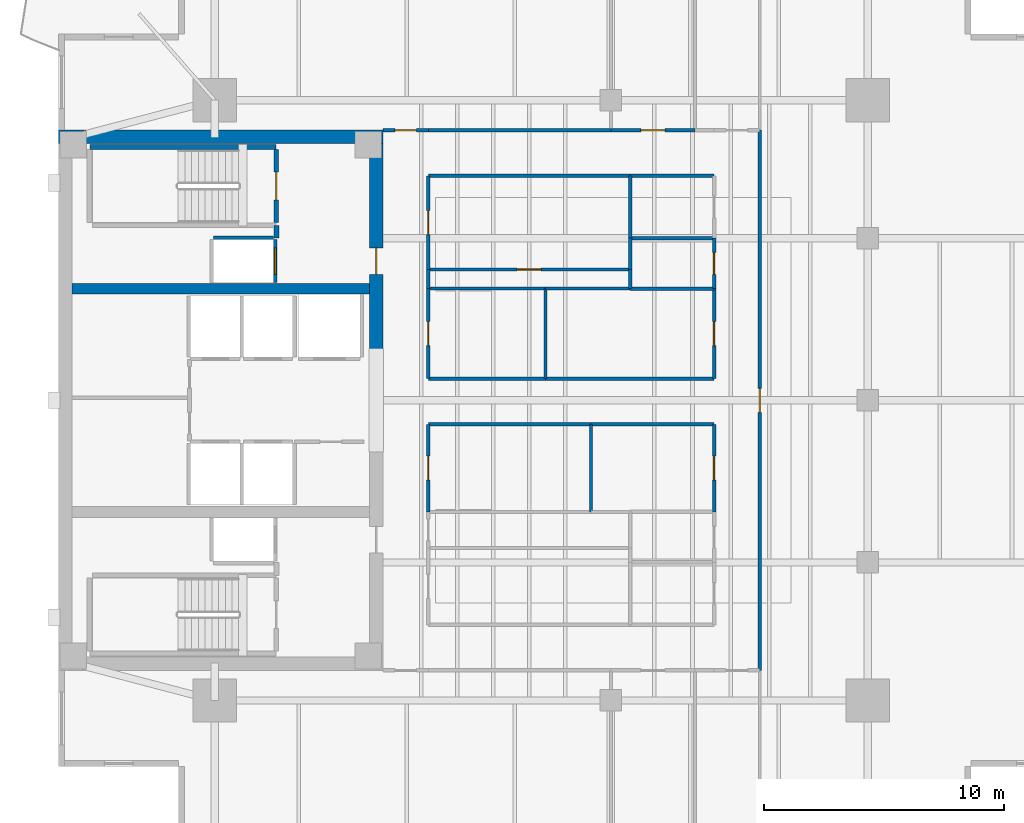
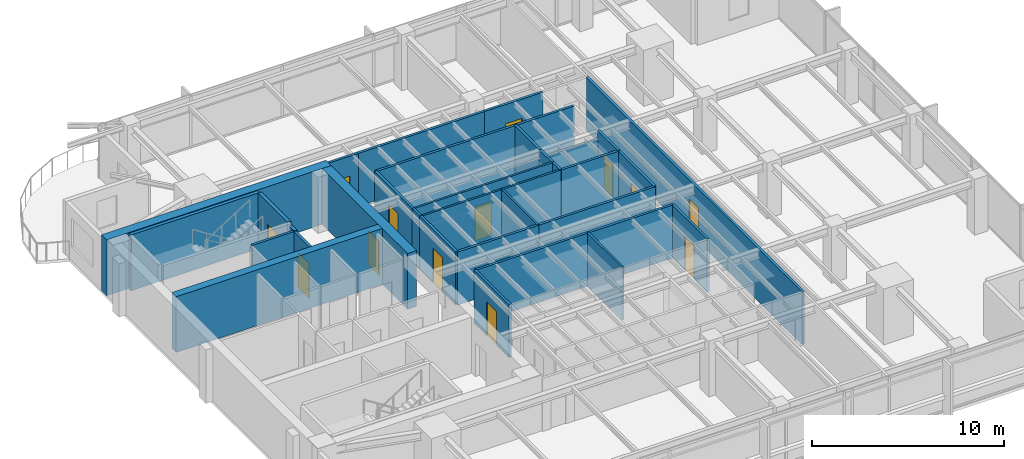
# One storey, part 9 of 15: 35 walls, 13 doors, 13 openings.
"""IFC4 building model written with IfcOpenShell, lengths in metres."""

import ifcopenshell
import ifcopenshell.guid

model = None  # the IFC model being written
_history = None  # IfcOwnerHistory: only IFC2X3 demands one
_inside = {}  # id of a spatial element -> (the spatial element, [elements in it])
_under = {}  # id of a project, library or spatial element -> (it, [spatial elements below it])
_declared = {}  # id of a project -> (the project, [libraries it declares])
_typed = {}  # id of a type object -> (the type object, [elements of that type])
_made_of = {}  # id of a material, layer set ... -> (it, [elements and type objects made of it])


def new_model(schema):
    """Start an empty IFC model of exactly this schema.

    Asked for "IFC4X3", IfcOpenShell would pick the latest addendum, in which some entities
    have other attributes; the version numbers below select the first issue.
    IFC2X3 requires an IfcOwnerHistory on every rooted entity: one is made here for all.
    """
    global model, _history
    if schema == "IFC4X3":
        model = ifcopenshell.file(schema_version=(4, 3, 0, 0))
    else:
        model = ifcopenshell.file(schema=schema)
    _inside.clear()
    _under.clear()
    _declared.clear()
    _typed.clear()
    _made_of.clear()
    _history = None
    if model.schema == "IFC2X3":
        org = make("IfcOrganization", Name="unknown")
        user = make(
            "IfcPersonAndOrganization",
            ThePerson=make("IfcPerson", FamilyName="unknown"),
            TheOrganization=org,
        )
        app = make(
            "IfcApplication",
            ApplicationDeveloper=org,
            Version="unknown",
            ApplicationFullName="unknown",
            ApplicationIdentifier="unknown",
        )
        _history = make(
            "IfcOwnerHistory",
            OwningUser=user,
            OwningApplication=app,
            ChangeAction="ADDED",
            CreationDate=0,
        )
    return model


def make(cls, **values):
    """One entity of the class cls with the attributes given. An attribute that is None is left unset."""
    return model.create_entity(
        cls, **{name: value for name, value in values.items() if value is not None}
    )


def rooted(cls, **values):
    """An entity with a GlobalId (a new one), such as an element, a storey or a relation."""
    return make(cls, GlobalId=ifcopenshell.guid.new(), OwnerHistory=_history, **values)


def si_unit(unit_type, name, prefix=None):
    """IfcSIUnit, for example si_unit("LENGTHUNIT", "METRE", prefix="MILLI")."""
    return make("IfcSIUnit", UnitType=unit_type, Prefix=prefix, Name=name)


def assignment(units):
    """IfcUnitAssignment: the units of a project."""
    return None if units is None else make("IfcUnitAssignment", Units=units)


def point(xyz):
    """IfcCartesianPoint."""
    return None if xyz is None else make("IfcCartesianPoint", Coordinates=xyz)


def direction(xyz):
    """IfcDirection."""
    return None if xyz is None else make("IfcDirection", DirectionRatios=xyz)


def frame(location, z_axis=None, x_axis=None):
    """IfcAxis2Placement3D, a coordinate frame: its origin and axes. An axis left out is left unset."""
    return make(
        "IfcAxis2Placement3D",
        Location=point(location),
        Axis=direction(z_axis),
        RefDirection=direction(x_axis),
    )


def frame_2d(location, x_axis=None):
    """IfcAxis2Placement2D, a coordinate frame in the plane: its origin and x axis."""
    return make(
        "IfcAxis2Placement2D", Location=point(location), RefDirection=direction(x_axis)
    )


def origin():
    """The frame at (0, 0, 0) with its axes left unset."""
    return frame((0.0, 0.0, 0.0))


def place(relative_to, where):
    """IfcLocalPlacement: puts the frame where relative to a parent placement (None: the world)."""
    return make(
        "IfcLocalPlacement", PlacementRelTo=relative_to, RelativePlacement=where
    )


def context(
    kind, dimensions, precision=None, world=None, true_north=None, identifier=None
):
    """IfcGeometricRepresentationContext, for example the 3D "Model" context."""
    return make(
        "IfcGeometricRepresentationContext",
        ContextIdentifier=identifier,
        ContextType=kind,
        CoordinateSpaceDimension=dimensions,
        Precision=precision,
        WorldCoordinateSystem=world,
        TrueNorth=true_north,
    )


def subcontext(parent, identifier, kind, view, scale=None):
    """IfcGeometricRepresentationSubContext, for example "Body" below "Model"."""
    return make(
        "IfcGeometricRepresentationSubContext",
        ContextIdentifier=identifier,
        ContextType=kind,
        ParentContext=parent,
        TargetScale=scale,
        TargetView=view,
    )


def project(units=None, contexts=None):
    """IfcProject with its units and contexts."""
    return rooted(
        "IfcProject",
        Name="project",
        RepresentationContexts=contexts,
        UnitsInContext=assignment(units),
    )


def spatial(cls, under=None, at=None, **own):
    """A site, building, storey or space (cls), placed at a placement, below another one or the project."""
    s = rooted(cls, ObjectPlacement=at, **own)
    if under is not None:
        _under.setdefault(under.id(), (under, []))[1].append(s)
    return s


def profile(cls, at=None, kind="AREA", **sizes):
    """A parametric profile (cls). Its sizes go by their IFC names, for example OverallWidth=200.0."""
    return make(cls, ProfileType=kind, Position=at, **sizes)


def rectangle(**sizes):
    """IfcRectangleProfileDef."""
    return profile("IfcRectangleProfileDef", **sizes)


def extrude(swept, where, along, depth):
    """IfcExtrudedAreaSolid: the profile swept, set in the frame where, extruded along a direction by depth."""
    return make(
        "IfcExtrudedAreaSolid",
        SweptArea=swept,
        Position=where,
        ExtrudedDirection=direction(along),
        Depth=depth,
    )


def shape(context_of_items, identifier, shape_type, items):
    """IfcShapeRepresentation: the items that make up one representation, for example the "Body"."""
    return make(
        "IfcShapeRepresentation",
        ContextOfItems=context_of_items,
        RepresentationIdentifier=identifier,
        RepresentationType=shape_type,
        Items=items,
    )


def material(Name=None, Category=None):
    """IfcMaterial."""
    return make("IfcMaterial", Name=Name, Category=Category)


def layer(
    of_material, thickness, ventilated=None, Name=None, Category=None, Priority=None
):
    """IfcMaterialLayer: one layer of a wall or slab, of a material (None: an air gap)."""
    return make(
        "IfcMaterialLayer",
        Material=of_material,
        LayerThickness=thickness,
        IsVentilated=ventilated,
        Name=Name,
        Category=Category,
        Priority=Priority,
    )


def layer_set(layers, Name=None):
    """IfcMaterialLayerSet."""
    return make("IfcMaterialLayerSet", MaterialLayers=layers, LayerSetName=Name)


def made_of(thing, what):
    """Note that an element or type object is made of a material, layer set ...; save() writes the relation."""
    if what is not None:
        _made_of.setdefault(what.id(), (what, []))[1].append(thing)
    return thing


def type_object(cls, material=None, **own):
    """A type object (cls), such as IfcWallType, which elements share."""
    return made_of(rooted(cls, **own), material)


def element(
    cls,
    number,
    at=None,
    inside=None,
    cuts=None,
    type_object=None,
    material=None,
    context=None,
    identifier="Body",
    shape_type=None,
    held_by="IfcProductDefinitionShape",
    body=None,
    shapes=None,
    **own,
):
    """One element of the class cls, such as IfcWall. Its Tag is "e" and its number.

    at: its placement. inside: the storey or other place that contains it. cuts: it is an
    opening in that element (IfcRelVoidsElement). A single representation is given by context,
    identifier, shape_type and body (its items); several are given by shapes. held_by: the class
    of the entity that holds the representations. save() writes the other relations.
    """
    e = rooted(cls, Tag="e%d" % number, ObjectPlacement=at, **own)
    if body is not None:
        shapes = [shape(context, identifier, shape_type, body)]
    if shapes is not None:
        e.Representation = make(held_by, Representations=shapes)
    if inside is not None:
        _inside.setdefault(inside.id(), (inside, []))[1].append(e)
    if cuts is not None:
        rooted(
            "IfcRelVoidsElement", RelatingBuildingElement=cuts, RelatedOpeningElement=e
        )
    if type_object is not None:
        _typed.setdefault(type_object.id(), (type_object, []))[1].append(e)
    return made_of(e, material)


def fill(opening, filler):
    """IfcRelFillsElement: the door or window that sits in an opening."""
    return rooted(
        "IfcRelFillsElement",
        RelatingOpeningElement=opening,
        RelatedBuildingElement=filler,
    )


def aggregate(whole, parts):
    """IfcRelAggregates: a whole, such as a stair, and the parts it consists of."""
    return rooted("IfcRelAggregates", RelatingObject=whole, RelatedObjects=parts)


def save(model, path):
    """Write the relations noted so far, then the file.

    IfcRelAggregates (storeys below a building ...), IfcRelContainedInSpatialStructure (elements
    in a storey), IfcRelDefinesByType, IfcRelAssociatesMaterial and IfcRelDeclares: one each for
    every whole, place, type object, material and project.
    """
    for whole, parts in _under.values():
        aggregate(whole, parts)
    for where, things in _inside.values():
        rooted(
            "IfcRelContainedInSpatialStructure",
            RelatedElements=things,
            RelatingStructure=where,
        )
    for kind, things in _typed.values():
        rooted("IfcRelDefinesByType", RelatedObjects=things, RelatingType=kind)
    for what, things in _made_of.values():
        rooted("IfcRelAssociatesMaterial", RelatedObjects=things, RelatingMaterial=what)
    for by, libraries in _declared.values():
        rooted("IfcRelDeclares", RelatingContext=by, RelatedDefinitions=libraries)
    model.write(path)


model = new_model("IFC4")

# Units and contexts
model_context = context("Model", 3, precision=1e-05, world=origin(), true_north=direction((0.0, 1.0)))
body_context = subcontext(model_context, "Body", "Model", "MODEL_VIEW")
ifc_project = project(units=[si_unit("LENGTHUNIT", "METRE"), si_unit("AREAUNIT", "SQUARE_METRE"), si_unit("VOLUMEUNIT", "CUBIC_METRE"), si_unit("PLANEANGLEUNIT", "RADIAN"), si_unit("MASSUNIT", "GRAM", prefix="KILO")], contexts=[model_context])

# Site, building, storey
site_placement = place(None, origin())
site = spatial("IfcSite", under=ifc_project, at=site_placement, CompositionType="ELEMENT")
building_placement = place(site_placement, origin())
building = spatial("IfcBuilding", under=site, at=building_placement, Name="Kinhvarn Gate Tower", CompositionType="ELEMENT")
storey_placement = place(building_placement, frame((0.0, 0.0, 220.0)))
storey = spatial("IfcBuildingStorey", under=building, at=storey_placement, Name="L58", CompositionType="ELEMENT", Elevation=220.0)

# Walls
ifc_material_1 = material(Name="Concrete C50/60", Category="concrete")
ifc_layer_1 = layer(ifc_material_1, 0.449951171875)
ifc_layer_set_1 = layer_set([ifc_layer_1], Name="Concrete C50/60")
wall_type_1 = type_object("IfcWallType", Name="WL-CORE-450", PredefinedType="SHEAR", material=ifc_layer_set_1)
wall_1_placement = place(storey_placement, frame((5.050048828125, 29.89990234375, 0.0), z_axis=(0.0, 0.0, 1.0), x_axis=(1.0, 0.0, 0.0)))
element("IfcWall", 1, at=wall_1_placement, inside=storey, type_object=wall_type_1, Name="Core North Spine Shear Wall L58 450 mm", PredefinedType="SHEAR", context=body_context, shape_type="SweptSolid", body=[
    extrude(rectangle(XDim=12.39990234375, YDim=0.449951171875, at=frame_2d((6.199951171875, 0.0))), origin(), (0.0, 0.0, 1.0), 3.550048828125),
])
ifc_material_2 = material(Name="Concrete C60/75", Category="concrete")
ifc_layer_2 = layer(ifc_material_2, 0.550048828125)
ifc_layer_set_2 = layer_set([ifc_layer_2], Name="Concrete C60/75")
wall_type_2 = type_object("IfcWallType", Name="WL-CORE-550", PredefinedType="SHEAR", material=ifc_layer_set_2)
wall_2_placement = place(storey_placement, frame((4.5, 36.22509765625, 0.0), z_axis=(0.0, 0.0, 1.0), x_axis=(1.0, 0.0, 0.0)))
element("IfcWall", 2, at=wall_2_placement, inside=storey, type_object=wall_type_2, Name="Core North Shear Wall L58 550 mm", PredefinedType="SHEAR", context=body_context, shape_type="SweptSolid", body=[
    extrude(rectangle(XDim=13.5, YDim=0.550048828125, at=frame_2d((6.75, 0.0))), origin(), (0.0, 0.0, 1.0), 3.550048828125),
])

# Wall, opening, door
wall_3_placement = place(storey_placement, frame((17.72509765625, 27.050048828125, 0.0), z_axis=(0.0, 0.0, 1.0), x_axis=(0.0, 1.0, 0.0)))
wall_3 = element("IfcWall", 3, at=wall_3_placement, inside=storey, type_object=wall_type_2, Name="Core East-North Shear Pier L58 550 mm", PredefinedType="SHEAR", context=body_context, shape_type="SweptSolid", body=[
    extrude(rectangle(XDim=8.89990234375, YDim=0.550048828125, at=frame_2d((4.449951171875, 0.0))), origin(), (0.0, 0.0, 1.0), 3.550048828125),
])
opening_1_placement = place(wall_3_placement, frame((3.449951171875, 0.0, 0.0)))
opening_1 = element("IfcOpeningElement", 4, at=opening_1_placement, cuts=wall_3, Name="Opening FD-02", PredefinedType="OPENING", context=body_context, shape_type="SweptSolid", body=[
    extrude(rectangle(XDim=1.10009765625, YDim=2.14990234375, at=frame_2d((0.550048828125, 1.074951171875))), frame((0.0, 0.28515625, 0.0), z_axis=(0.0, -1.0, 0.0), x_axis=(1.0, 0.0, 0.0)), (0.0, 0.0, 1.0), 0.570068359375),
])
ifc_material_3 = material(Name="Anodised aluminium AW-6063", Category="aluminium")
door_type_1 = type_object("IfcDoorType", Name="DR-FD-1100", OperationType="NOTDEFINED", PredefinedType="DOOR", material=ifc_material_3)
door_1_placement = place(opening_1_placement, origin())
door_1 = element("IfcDoor", 5, at=door_1_placement, inside=storey, type_object=door_type_1, Name="Firefighting Lobby Core Door (L58)", OperationType="SINGLE_SWING_LEFT", OverallHeight=2.14990234375, OverallWidth=1.10009765625, PredefinedType="DOOR", context=body_context, shape_type="SweptSolid", body=[
    extrude(rectangle(XDim=1.10009765625, YDim=2.14990234375, at=frame_2d((0.550048828125, 1.074951171875))), frame((0.0, 0.02490234375, 0.0), z_axis=(0.0, -1.0, 0.0), x_axis=(1.0, 0.0, 0.0)), (0.0, 0.0, 1.0), 0.050048828125),
])
fill(opening_1, door_1)

# Walls
ifc_material_4 = material(Name="Gypsum acoustic partition board")
ifc_layer_3 = layer(ifc_material_4, 0.14990234375)
ifc_layer_set_3 = layer_set([ifc_layer_3], Name="Gypsum acoustic partition board")
wall_type_3 = type_object("IfcWallType", Name="WL-PLM-150", PredefinedType="PLUMBINGWALL", material=ifc_layer_set_3)
wall_4_placement = place(storey_placement, frame((28.300048828125, 32.0, 0.0), z_axis=(0.0, 0.0, 1.0), x_axis=(1.0, 0.0, 0.0)))
element("IfcWall", 6, at=wall_4_placement, inside=storey, type_object=wall_type_3, Name="Interior Partition PLW-150 (L58)", PredefinedType="PLUMBINGWALL", context=body_context, shape_type="SweptSolid", body=[
    extrude(rectangle(XDim=3.5, YDim=0.14990234375, at=frame_2d((1.75, 0.0))), origin(), (0.0, 0.0, 1.0), 2.8701171875),
])
wall_5_placement = place(storey_placement, frame((28.300048828125, 32.0, 0.0), z_axis=(0.0, 0.0, 1.0), x_axis=(0.0, 1.0, 0.0)))
element("IfcWall", 7, at=wall_5_placement, inside=storey, type_object=wall_type_3, Name="Interior Partition PLW-150 (L58)", PredefinedType="PLUMBINGWALL", context=body_context, shape_type="SweptSolid", body=[
    extrude(rectangle(XDim=2.60009765625, YDim=0.14990234375, at=frame_2d((1.300048828125, 0.0))), origin(), (0.0, 0.0, 1.0), 3.3701171875),
])
wall_6_placement = place(storey_placement, frame((28.300048828125, 30.699951171875, 0.0), z_axis=(0.0, 0.0, 1.0), x_axis=(0.0, 1.0, 0.0)))
element("IfcWall", 8, at=wall_6_placement, inside=storey, type_object=wall_type_3, Name="Interior Partition PLW-150 (L58)", PredefinedType="PLUMBINGWALL", context=body_context, shape_type="SweptSolid", body=[
    extrude(rectangle(XDim=1.300048828125, YDim=0.14990234375, at=frame_2d((0.64990234375, 0.0))), origin(), (0.0, 0.0, 1.0), 3.3701171875),
])
wall_7_placement = place(storey_placement, frame((28.300048828125, 29.89990234375, 0.0), z_axis=(0.0, 0.0, 1.0), x_axis=(0.0, 1.0, 0.0)))
element("IfcWall", 9, at=wall_7_placement, inside=storey, type_object=wall_type_3, Name="Interior Partition PLW-150 (L58)", PredefinedType="PLUMBINGWALL", context=body_context, shape_type="SweptSolid", body=[
    extrude(rectangle(XDim=0.800048828125, YDim=0.14990234375, at=frame_2d((0.39990234375, 0.0))), origin(), (0.0, 0.0, 1.0), 3.3701171875),
])
wall_8_placement = place(storey_placement, frame((28.300048828125, 29.89990234375, 0.0), z_axis=(0.0, 0.0, 1.0), x_axis=(1.0, 0.0, 0.0)))
element("IfcWall", 10, at=wall_8_placement, inside=storey, type_object=wall_type_3, Name="Interior Partition PLW-150 (L58)", PredefinedType="PLUMBINGWALL", context=body_context, shape_type="SweptSolid", body=[
    extrude(rectangle(XDim=3.5, YDim=0.14990234375, at=frame_2d((1.75, 0.0))), origin(), (0.0, 0.0, 1.0), 3.3701171875),
])

# Wall, opening, door
ifc_layer_4 = layer(ifc_material_4, 0.14990234375)
ifc_layer_set_4 = layer_set([ifc_layer_4], Name="Gypsum acoustic partition board")
wall_type_4 = type_object("IfcWallType", Name="WL-PLM-150F", PredefinedType="PLUMBINGWALL", material=ifc_layer_set_4)
wall_9_placement = place(storey_placement, frame((31.800048828125, 29.89990234375, 0.0), z_axis=(0.0, 0.0, 1.0), x_axis=(0.0, 1.0, 0.0)))
wall_9 = element("IfcWall", 11, at=wall_9_placement, inside=storey, type_object=wall_type_4, Name="Interior Partition PLW-150F (L58)", PredefinedType="PLUMBINGWALL", context=body_context, shape_type="SweptSolid", body=[
    extrude(rectangle(XDim=2.10009765625, YDim=0.14990234375, at=frame_2d((1.050048828125, 0.0))), origin(), (0.0, 0.0, 1.0), 3.3701171875),
])
opening_2_placement = place(wall_9_placement, frame((0.60009765625, 0.0, 0.0)))
opening_2 = element("IfcOpeningElement", 12, at=opening_2_placement, cuts=wall_9, Name="Opening FD-04", PredefinedType="OPENING", context=body_context, shape_type="SweptSolid", body=[
    extrude(rectangle(XDim=0.89990234375, YDim=2.10009765625, at=frame_2d((0.449951171875, 1.050048828125))), frame((0.0, 0.0849609375, 0.0), z_axis=(0.0, -1.0, 0.0), x_axis=(1.0, 0.0, 0.0)), (0.0, 0.0, 1.0), 0.169921875),
])
door_type_2 = type_object("IfcDoorType", Name="DR-FD-900", OperationType="NOTDEFINED", PredefinedType="DOOR", material=ifc_material_3)
door_2_placement = place(opening_2_placement, origin())
door_2 = element("IfcDoor", 13, at=door_2_placement, inside=storey, type_object=door_type_2, Name="Rated Riser & Service Closet Fire Door 900x2100 mm (L58)", OperationType="SINGLE_SWING_LEFT", OverallHeight=2.10009765625, OverallWidth=0.89990234375, PredefinedType="DOOR", context=body_context, shape_type="SweptSolid", body=[
    extrude(rectangle(XDim=0.89990234375, YDim=2.10009765625, at=frame_2d((0.449951171875, 1.050048828125))), frame((0.0, 0.02490234375, 0.0), z_axis=(0.0, -1.0, 0.0), x_axis=(1.0, 0.0, 0.0)), (0.0, 0.0, 1.0), 0.050048828125),
])
fill(opening_2, door_2)

# Wall
wall_10_placement = place(storey_placement, frame((28.300048828125, 34.60009765625, 0.0), z_axis=(0.0, 0.0, 1.0), x_axis=(1.0, 0.0, 0.0)))
element("IfcWall", 14, at=wall_10_placement, inside=storey, type_object=wall_type_4, Name="Interior Partition PLW-150F (L58)", PredefinedType="PLUMBINGWALL", context=body_context, shape_type="SweptSolid", body=[
    extrude(rectangle(XDim=3.5, YDim=0.14990234375, at=frame_2d((1.75, 0.0))), origin(), (0.0, 0.0, 1.0), 3.3701171875),
])

# Wall, opening, door
ifc_layer_5 = layer(ifc_material_4, 0.1201171875)
ifc_layer_set_5 = layer_set([ifc_layer_5], Name="Gypsum acoustic partition board")
wall_type_5 = type_object("IfcWallType", Name="WL-PRT-120", PredefinedType="PARTITIONING", material=ifc_layer_set_5)
wall_11_placement = place(storey_placement, frame((19.89990234375, 30.699951171875, 0.0), z_axis=(0.0, 0.0, 1.0), x_axis=(1.0, 0.0, 0.0)))
wall_11 = element("IfcWall", 15, at=wall_11_placement, inside=storey, type_object=wall_type_5, Name="Interior Partition PW-120 (L58)", PredefinedType="PARTITIONING", context=body_context, shape_type="SweptSolid", body=[
    extrude(rectangle(XDim=8.400146484375, YDim=0.1201171875, at=frame_2d((4.2001953125, 0.0))), origin(), (0.0, 0.0, 1.0), 3.3701171875),
])
opening_3_placement = place(wall_11_placement, frame((3.699951171875, 0.0, 0.0)))
opening_3 = element("IfcOpeningElement", 16, at=opening_3_placement, cuts=wall_11, Name="Opening ID-02", PredefinedType="OPENING", context=body_context, shape_type="SweptSolid", body=[
    extrude(rectangle(XDim=1.0, YDim=2.14990234375, at=frame_2d((0.5, 1.074951171875))), frame((0.0, 0.070068359375, 0.0), z_axis=(0.0, -1.0, 0.0), x_axis=(1.0, 0.0, 0.0)), (0.0, 0.0, 1.0), 0.14013671875),
])
door_type_3 = type_object("IfcDoorType", Name="DR-INT-1000", OperationType="NOTDEFINED", PredefinedType="DOOR", material=ifc_material_3)
door_3_placement = place(opening_3_placement, origin())
door_3 = element("IfcDoor", 17, at=door_3_placement, inside=storey, type_object=door_type_3, Name="Standard Office & Meeting Room Door 1000x2150 mm (L58)", OperationType="SINGLE_SWING_LEFT", OverallHeight=2.14990234375, OverallWidth=1.0, PredefinedType="DOOR", context=body_context, shape_type="SweptSolid", body=[
    extrude(rectangle(XDim=1.0, YDim=2.14990234375, at=frame_2d((0.5, 1.074951171875))), frame((0.0, 0.02490234375, 0.0), z_axis=(0.0, -1.0, 0.0), x_axis=(1.0, 0.0, 0.0)), (0.0, 0.0, 1.0), 0.050048828125),
])
fill(opening_3, door_3)

# Walls
wall_12_placement = place(storey_placement, frame((19.89990234375, 29.89990234375, 0.0), z_axis=(0.0, 0.0, 1.0), x_axis=(1.0, 0.0, 0.0)))
element("IfcWall", 18, at=wall_12_placement, inside=storey, type_object=wall_type_5, Name="Interior Partition PW-120 (L58)", PredefinedType="PARTITIONING", context=body_context, shape_type="SweptSolid", body=[
    extrude(rectangle(XDim=4.880126953125, YDim=0.1201171875, at=frame_2d((2.43994140625, 0.0))), origin(), (0.0, 0.0, 1.0), 3.3701171875),
])
wall_13_placement = place(storey_placement, frame((24.780029296875, 29.89990234375, 0.0), z_axis=(0.0, 0.0, 1.0), x_axis=(1.0, 0.0, 0.0)))
element("IfcWall", 19, at=wall_13_placement, inside=storey, type_object=wall_type_5, Name="Interior Partition PW-120 (L58)", PredefinedType="PARTITIONING", context=body_context, shape_type="SweptSolid", body=[
    extrude(rectangle(XDim=3.52001953125, YDim=0.1201171875, at=frame_2d((1.760009765625, 0.0))), origin(), (0.0, 0.0, 1.0), 3.3701171875),
])
wall_14_placement = place(storey_placement, frame((26.679931640625, 20.60009765625, 0.0), z_axis=(0.0, 0.0, 1.0), x_axis=(0.0, 1.0, 0.0)))
element("IfcWall", 20, at=wall_14_placement, inside=storey, type_object=wall_type_5, Name="Interior Partition PW-120 (L58)", PredefinedType="PARTITIONING", context=body_context, shape_type="SweptSolid", body=[
    extrude(rectangle(XDim=3.64990234375, YDim=0.1201171875, at=frame_2d((1.824951171875, 0.0))), origin(), (0.0, 0.0, 1.0), 3.3701171875),
])
wall_15_placement = place(storey_placement, frame((24.780029296875, 26.14990234375, 0.0), z_axis=(0.0, 0.0, 1.0), x_axis=(0.0, 1.0, 0.0)))
element("IfcWall", 21, at=wall_15_placement, inside=storey, type_object=wall_type_5, Name="Interior Partition PW-120 (L58)", PredefinedType="PARTITIONING", context=body_context, shape_type="SweptSolid", body=[
    extrude(rectangle(XDim=3.75, YDim=0.1201171875, at=frame_2d((1.875, 0.0))), origin(), (0.0, 0.0, 1.0), 3.3701171875),
])

# Wall, opening, door
ifc_layer_6 = layer(ifc_material_4, 0.14990234375)
ifc_layer_set_6 = layer_set([ifc_layer_6], Name="Gypsum acoustic partition board")
wall_type_6 = type_object("IfcWallType", Name="WL-PRT-150F", PredefinedType="PARTITIONING", material=ifc_layer_set_6)
wall_16_placement = place(storey_placement, frame((19.89990234375, 30.699951171875, 0.0), z_axis=(0.0, 0.0, 1.0), x_axis=(0.0, 1.0, 0.0)))
wall_16 = element("IfcWall", 22, at=wall_16_placement, inside=storey, type_object=wall_type_6, Name="Interior Partition PW-150F (L58)", PredefinedType="PARTITIONING", context=body_context, shape_type="SweptSolid", body=[
    extrude(rectangle(XDim=3.900146484375, YDim=0.14990234375, at=frame_2d((1.9501953125, 0.0))), origin(), (0.0, 0.0, 1.0), 3.3701171875),
])
opening_4_placement = place(wall_16_placement, frame((1.449951171875, 0.0, 0.0)))
opening_4 = element("IfcOpeningElement", 23, at=opening_4_placement, cuts=wall_16, Name="Opening ID-02", PredefinedType="OPENING", context=body_context, shape_type="SweptSolid", body=[
    extrude(rectangle(XDim=1.0, YDim=2.14990234375, at=frame_2d((0.5, 1.074951171875))), frame((0.0, 0.0849609375, 0.0), z_axis=(0.0, -1.0, 0.0), x_axis=(1.0, 0.0, 0.0)), (0.0, 0.0, 1.0), 0.169921875),
])
door_4_placement = place(opening_4_placement, origin())
door_4 = element("IfcDoor", 24, at=door_4_placement, inside=storey, type_object=door_type_3, Name="Standard Office & Meeting Room Door 1000x2150 mm (L58)", OperationType="SINGLE_SWING_LEFT", OverallHeight=2.14990234375, OverallWidth=1.0, PredefinedType="DOOR", context=body_context, shape_type="SweptSolid", body=[
    extrude(rectangle(XDim=1.0, YDim=2.14990234375, at=frame_2d((0.5, 1.074951171875))), frame((0.0, 0.02490234375, 0.0), z_axis=(0.0, -1.0, 0.0), x_axis=(1.0, 0.0, 0.0)), (0.0, 0.0, 1.0), 0.050048828125),
])
fill(opening_4, door_4)

# Wall
wall_17_placement = place(storey_placement, frame((19.89990234375, 29.89990234375, 0.0), z_axis=(0.0, 0.0, 1.0), x_axis=(0.0, 1.0, 0.0)))
element("IfcWall", 25, at=wall_17_placement, inside=storey, type_object=wall_type_6, Name="Interior Partition PW-150F (L58)", PredefinedType="PARTITIONING", context=body_context, shape_type="SweptSolid", body=[
    extrude(rectangle(XDim=0.800048828125, YDim=0.14990234375, at=frame_2d((0.39990234375, 0.0))), origin(), (0.0, 0.0, 1.0), 3.3701171875),
])

# Wall, opening, door
wall_18_placement = place(storey_placement, frame((19.89990234375, 20.60009765625, 0.0), z_axis=(0.0, 0.0, 1.0), x_axis=(0.0, 1.0, 0.0)))
wall_18 = element("IfcWall", 26, at=wall_18_placement, inside=storey, type_object=wall_type_6, Name="Interior Partition PW-150F (L58)", PredefinedType="PARTITIONING", context=body_context, shape_type="SweptSolid", body=[
    extrude(rectangle(XDim=3.64990234375, YDim=0.14990234375, at=frame_2d((1.824951171875, 0.0))), origin(), (0.0, 0.0, 1.0), 3.3701171875),
])
opening_5_placement = place(wall_18_placement, frame((1.324951171875, 0.0, 0.0)))
opening_5 = element("IfcOpeningElement", 27, at=opening_5_placement, cuts=wall_18, Name="Opening ID-02", PredefinedType="OPENING", context=body_context, shape_type="SweptSolid", body=[
    extrude(rectangle(XDim=1.0, YDim=2.14990234375, at=frame_2d((0.5, 1.074951171875))), frame((0.0, 0.0849609375, 0.0), z_axis=(0.0, -1.0, 0.0), x_axis=(1.0, 0.0, 0.0)), (0.0, 0.0, 1.0), 0.169921875),
])
door_5_placement = place(opening_5_placement, origin())
door_5 = element("IfcDoor", 28, at=door_5_placement, inside=storey, type_object=door_type_3, Name="Standard Office & Meeting Room Door 1000x2150 mm (L58)", OperationType="SINGLE_SWING_RIGHT", OverallHeight=2.14990234375, OverallWidth=1.0, PredefinedType="DOOR", context=body_context, shape_type="SweptSolid", body=[
    extrude(rectangle(XDim=1.0, YDim=2.14990234375, at=frame_2d((0.5, 1.074951171875))), frame((0.0, 0.02490234375, 0.0), z_axis=(0.0, -1.0, 0.0), x_axis=(1.0, 0.0, 0.0)), (0.0, 0.0, 1.0), 0.050048828125),
])
fill(opening_5, door_5)

wall_19_placement = place(storey_placement, frame((19.89990234375, 26.14990234375, 0.0), z_axis=(0.0, 0.0, 1.0), x_axis=(0.0, 1.0, 0.0)))
wall_19 = element("IfcWall", 29, at=wall_19_placement, inside=storey, type_object=wall_type_6, Name="Interior Partition PW-150F (L58)", PredefinedType="PARTITIONING", context=body_context, shape_type="SweptSolid", body=[
    extrude(rectangle(XDim=3.75, YDim=0.14990234375, at=frame_2d((1.875, 0.0))), origin(), (0.0, 0.0, 1.0), 3.3701171875),
])
opening_6_placement = place(wall_19_placement, frame((1.375, 0.0, 0.0)))
opening_6 = element("IfcOpeningElement", 30, at=opening_6_placement, cuts=wall_19, Name="Opening ID-02", PredefinedType="OPENING", context=body_context, shape_type="SweptSolid", body=[
    extrude(rectangle(XDim=1.0, YDim=2.14990234375, at=frame_2d((0.5, 1.074951171875))), frame((0.0, 0.0849609375, 0.0), z_axis=(0.0, -1.0, 0.0), x_axis=(1.0, 0.0, 0.0)), (0.0, 0.0, 1.0), 0.169921875),
])
door_6_placement = place(opening_6_placement, origin())
door_6 = element("IfcDoor", 31, at=door_6_placement, inside=storey, type_object=door_type_3, Name="Standard Office & Meeting Room Door 1000x2150 mm (L58)", OperationType="SINGLE_SWING_LEFT", OverallHeight=2.14990234375, OverallWidth=1.0, PredefinedType="DOOR", context=body_context, shape_type="SweptSolid", body=[
    extrude(rectangle(XDim=1.0, YDim=2.14990234375, at=frame_2d((0.5, 1.074951171875))), frame((0.0, 0.02490234375, 0.0), z_axis=(0.0, -1.0, 0.0), x_axis=(1.0, 0.0, 0.0)), (0.0, 0.0, 1.0), 0.050048828125),
])
fill(opening_6, door_6)

wall_20_placement = place(storey_placement, frame((18.0, 36.5, 0.0), z_axis=(0.0, 0.0, 1.0), x_axis=(1.0, 0.0, 0.0)))
wall_20 = element("IfcWall", 32, at=wall_20_placement, inside=storey, type_object=wall_type_6, Name="Interior Partition PW-150F (L58)", PredefinedType="PARTITIONING", context=body_context, shape_type="SweptSolid", body=[
    extrude(rectangle(XDim=1.89990234375, YDim=0.14990234375, at=frame_2d((0.949951171875, 0.0))), origin(), (0.0, 0.0, 1.0), 3.3701171875),
])
opening_7_placement = place(wall_20_placement, frame((0.5, 0.0, 0.0)))
opening_7 = element("IfcOpeningElement", 33, at=opening_7_placement, cuts=wall_20, Name="Opening ID-03", PredefinedType="OPENING", context=body_context, shape_type="SweptSolid", body=[
    extrude(rectangle(XDim=0.89990234375, YDim=2.10009765625, at=frame_2d((0.449951171875, 1.050048828125))), frame((0.0, 0.0849609375, 0.0), z_axis=(0.0, -1.0, 0.0), x_axis=(1.0, 0.0, 0.0)), (0.0, 0.0, 1.0), 0.169921875),
])
door_type_4 = type_object("IfcDoorType", Name="DR-INT-900", OperationType="NOTDEFINED", PredefinedType="DOOR", material=ifc_material_3)
door_7_placement = place(opening_7_placement, origin())
door_7 = element("IfcDoor", 34, at=door_7_placement, inside=storey, type_object=door_type_4, Name="Cellular Office & Restroom Door 900x2100 mm (L58)", OperationType="SINGLE_SWING_LEFT", OverallHeight=2.10009765625, OverallWidth=0.89990234375, PredefinedType="DOOR", context=body_context, shape_type="SweptSolid", body=[
    extrude(rectangle(XDim=0.89990234375, YDim=2.10009765625, at=frame_2d((0.449951171875, 1.050048828125))), frame((0.0, 0.02490234375, 0.0), z_axis=(0.0, -1.0, 0.0), x_axis=(1.0, 0.0, 0.0)), (0.0, 0.0, 1.0), 0.050048828125),
])
fill(opening_7, door_7)

# Walls
wall_21_placement = place(storey_placement, frame((19.89990234375, 24.25, 0.0), z_axis=(0.0, 0.0, 1.0), x_axis=(1.0, 0.0, 0.0)))
element("IfcWall", 35, at=wall_21_placement, inside=storey, type_object=wall_type_6, Name="Interior Partition PW-150F (L58)", PredefinedType="PARTITIONING", context=body_context, shape_type="SweptSolid", body=[
    extrude(rectangle(XDim=6.780029296875, YDim=0.14990234375, at=frame_2d((3.39013671875, 0.0))), origin(), (0.0, 0.0, 1.0), 3.3701171875),
])
wall_22_placement = place(storey_placement, frame((26.679931640625, 24.25, 0.0), z_axis=(0.0, 0.0, 1.0), x_axis=(1.0, 0.0, 0.0)))
element("IfcWall", 36, at=wall_22_placement, inside=storey, type_object=wall_type_6, Name="Interior Partition PW-150F (L58)", PredefinedType="PARTITIONING", context=body_context, shape_type="SweptSolid", body=[
    extrude(rectangle(XDim=5.1201171875, YDim=0.14990234375, at=frame_2d((2.56005859375, 0.0))), origin(), (0.0, 0.0, 1.0), 3.3701171875),
])
wall_23_placement = place(storey_placement, frame((19.89990234375, 26.14990234375, 0.0), z_axis=(0.0, 0.0, 1.0), x_axis=(1.0, 0.0, 0.0)))
element("IfcWall", 37, at=wall_23_placement, inside=storey, type_object=wall_type_6, Name="Interior Partition PW-150F (L58)", PredefinedType="PARTITIONING", context=body_context, shape_type="SweptSolid", body=[
    extrude(rectangle(XDim=4.880126953125, YDim=0.14990234375, at=frame_2d((2.43994140625, 0.0))), origin(), (0.0, 0.0, 1.0), 3.3701171875),
])
wall_24_placement = place(storey_placement, frame((24.780029296875, 26.14990234375, 0.0), z_axis=(0.0, 0.0, 1.0), x_axis=(1.0, 0.0, 0.0)))
element("IfcWall", 38, at=wall_24_placement, inside=storey, type_object=wall_type_6, Name="Interior Partition PW-150F (L58)", PredefinedType="PARTITIONING", context=body_context, shape_type="SweptSolid", body=[
    extrude(rectangle(XDim=7.02001953125, YDim=0.14990234375, at=frame_2d((3.510009765625, 0.0))), origin(), (0.0, 0.0, 1.0), 3.3701171875),
])

# Wall, opening, door
wall_25_placement = place(storey_placement, frame((31.800048828125, 20.60009765625, 0.0), z_axis=(0.0, 0.0, 1.0), x_axis=(0.0, 1.0, 0.0)))
wall_25 = element("IfcWall", 39, at=wall_25_placement, inside=storey, type_object=wall_type_6, Name="Interior Partition PW-150F (L58)", PredefinedType="PARTITIONING", context=body_context, shape_type="SweptSolid", body=[
    extrude(rectangle(XDim=3.64990234375, YDim=0.14990234375, at=frame_2d((1.824951171875, 0.0))), origin(), (0.0, 0.0, 1.0), 3.3701171875),
])
opening_8_placement = place(wall_25_placement, frame((1.324951171875, 0.0, 0.0)))
opening_8 = element("IfcOpeningElement", 40, at=opening_8_placement, cuts=wall_25, Name="Opening ID-02", PredefinedType="OPENING", context=body_context, shape_type="SweptSolid", body=[
    extrude(rectangle(XDim=1.0, YDim=2.14990234375, at=frame_2d((0.5, 1.074951171875))), frame((0.0, 0.0849609375, 0.0), z_axis=(0.0, -1.0, 0.0), x_axis=(1.0, 0.0, 0.0)), (0.0, 0.0, 1.0), 0.169921875),
])
door_8_placement = place(opening_8_placement, origin())
door_8 = element("IfcDoor", 41, at=door_8_placement, inside=storey, type_object=door_type_3, Name="Standard Office & Meeting Room Door 1000x2150 mm (L58)", OperationType="SINGLE_SWING_RIGHT", OverallHeight=2.14990234375, OverallWidth=1.0, PredefinedType="DOOR", context=body_context, shape_type="SweptSolid", body=[
    extrude(rectangle(XDim=1.0, YDim=2.14990234375, at=frame_2d((0.5, 1.074951171875))), frame((0.0, 0.02490234375, 0.0), z_axis=(0.0, -1.0, 0.0), x_axis=(1.0, 0.0, 0.0)), (0.0, 0.0, 1.0), 0.050048828125),
])
fill(opening_8, door_8)

wall_26_placement = place(storey_placement, frame((31.800048828125, 26.14990234375, 0.0), z_axis=(0.0, 0.0, 1.0), x_axis=(0.0, 1.0, 0.0)))
wall_26 = element("IfcWall", 42, at=wall_26_placement, inside=storey, type_object=wall_type_6, Name="Interior Partition PW-150F (L58)", PredefinedType="PARTITIONING", context=body_context, shape_type="SweptSolid", body=[
    extrude(rectangle(XDim=3.75, YDim=0.14990234375, at=frame_2d((1.875, 0.0))), origin(), (0.0, 0.0, 1.0), 3.3701171875),
])
opening_9_placement = place(wall_26_placement, frame((1.375, 0.0, 0.0)))
opening_9 = element("IfcOpeningElement", 43, at=opening_9_placement, cuts=wall_26, Name="Opening ID-02", PredefinedType="OPENING", context=body_context, shape_type="SweptSolid", body=[
    extrude(rectangle(XDim=1.0, YDim=2.14990234375, at=frame_2d((0.5, 1.074951171875))), frame((0.0, 0.0849609375, 0.0), z_axis=(0.0, -1.0, 0.0), x_axis=(1.0, 0.0, 0.0)), (0.0, 0.0, 1.0), 0.169921875),
])
door_9_placement = place(opening_9_placement, origin())
door_9 = element("IfcDoor", 44, at=door_9_placement, inside=storey, type_object=door_type_3, Name="Standard Office & Meeting Room Door 1000x2150 mm (L58)", OperationType="SINGLE_SWING_LEFT", OverallHeight=2.14990234375, OverallWidth=1.0, PredefinedType="DOOR", context=body_context, shape_type="SweptSolid", body=[
    extrude(rectangle(XDim=1.0, YDim=2.14990234375, at=frame_2d((0.5, 1.074951171875))), frame((0.0, 0.02490234375, 0.0), z_axis=(0.0, -1.0, 0.0), x_axis=(1.0, 0.0, 0.0)), (0.0, 0.0, 1.0), 0.050048828125),
])
fill(opening_9, door_9)

wall_27_placement = place(storey_placement, frame((33.699951171875, 14.0, 0.0), z_axis=(0.0, 0.0, 1.0), x_axis=(0.0, 1.0, 0.0)))
wall_27 = element("IfcWall", 45, at=wall_27_placement, inside=storey, type_object=wall_type_6, Name="Interior Partition PW-150F (L58)", PredefinedType="PARTITIONING", context=body_context, shape_type="SweptSolid", body=[
    extrude(rectangle(XDim=22.5, YDim=0.14990234375, at=frame_2d((11.25, 0.0))), origin(), (0.0, 0.0, 1.0), 3.3701171875),
])
opening_10_placement = place(wall_27_placement, frame((10.75, 0.0, 0.0)))
opening_10 = element("IfcOpeningElement", 46, at=opening_10_placement, cuts=wall_27, Name="Opening ID-02", PredefinedType="OPENING", context=body_context, shape_type="SweptSolid", body=[
    extrude(rectangle(XDim=1.0, YDim=2.14990234375, at=frame_2d((0.5, 1.074951171875))), frame((0.0, 0.0849609375, 0.0), z_axis=(0.0, -1.0, 0.0), x_axis=(1.0, 0.0, 0.0)), (0.0, 0.0, 1.0), 0.169921875),
])
door_10_placement = place(opening_10_placement, origin())
door_10 = element("IfcDoor", 47, at=door_10_placement, inside=storey, type_object=door_type_3, Name="Standard Office & Meeting Room Door 1000x2150 mm (L58)", OperationType="SINGLE_SWING_RIGHT", OverallHeight=2.14990234375, OverallWidth=1.0, PredefinedType="DOOR", context=body_context, shape_type="SweptSolid", body=[
    extrude(rectangle(XDim=1.0, YDim=2.14990234375, at=frame_2d((0.5, 1.074951171875))), frame((0.0, 0.02490234375, 0.0), z_axis=(0.0, -1.0, 0.0), x_axis=(1.0, 0.0, 0.0)), (0.0, 0.0, 1.0), 0.050048828125),
])
fill(opening_10, door_10)

# Walls
wall_28_placement = place(storey_placement, frame((19.89990234375, 34.60009765625, 0.0), z_axis=(0.0, 0.0, 1.0), x_axis=(1.0, 0.0, 0.0)))
element("IfcWall", 48, at=wall_28_placement, inside=storey, type_object=wall_type_6, Name="Interior Partition PW-150F (L58)", PredefinedType="PARTITIONING", context=body_context, shape_type="SweptSolid", body=[
    extrude(rectangle(XDim=8.400146484375, YDim=0.14990234375, at=frame_2d((4.2001953125, 0.0))), origin(), (0.0, 0.0, 1.0), 3.3701171875),
])
wall_29_placement = place(storey_placement, frame((19.89990234375, 36.5, 0.0), z_axis=(0.0, 0.0, 1.0), x_axis=(1.0, 0.0, 0.0)))
element("IfcWall", 49, at=wall_29_placement, inside=storey, type_object=wall_type_6, Name="Interior Partition PW-150F (L58)", PredefinedType="PARTITIONING", context=body_context, shape_type="SweptSolid", body=[
    extrude(rectangle(XDim=7.60009765625, YDim=0.14990234375, at=frame_2d((3.800048828125, 0.0))), origin(), (0.0, 0.0, 1.0), 3.3701171875),
])

# Wall, opening, door
wall_30_placement = place(storey_placement, frame((27.5, 36.5, 0.0), z_axis=(0.0, 0.0, 1.0), x_axis=(1.0, 0.0, 0.0)))
wall_30 = element("IfcWall", 50, at=wall_30_placement, inside=storey, type_object=wall_type_6, Name="Interior Partition PW-150F (L58)", PredefinedType="PARTITIONING", context=body_context, shape_type="SweptSolid", body=[
    extrude(rectangle(XDim=3.5, YDim=0.14990234375, at=frame_2d((1.75, 0.0))), origin(), (0.0, 0.0, 1.0), 3.3701171875),
])
opening_11_placement = place(wall_30_placement, frame((1.25, 0.0, 0.0)))
opening_11 = element("IfcOpeningElement", 51, at=opening_11_placement, cuts=wall_30, Name="Opening ID-02", PredefinedType="OPENING", context=body_context, shape_type="SweptSolid", body=[
    extrude(rectangle(XDim=1.0, YDim=2.14990234375, at=frame_2d((0.5, 1.074951171875))), frame((0.0, 0.0849609375, 0.0), z_axis=(0.0, -1.0, 0.0), x_axis=(1.0, 0.0, 0.0)), (0.0, 0.0, 1.0), 0.169921875),
])
door_11_placement = place(opening_11_placement, origin())
door_11 = element("IfcDoor", 52, at=door_11_placement, inside=storey, type_object=door_type_3, Name="Standard Office & Meeting Room Door 1000x2150 mm (L58)", OperationType="SINGLE_SWING_RIGHT", OverallHeight=2.14990234375, OverallWidth=1.0, PredefinedType="DOOR", context=body_context, shape_type="SweptSolid", body=[
    extrude(rectangle(XDim=1.0, YDim=2.14990234375, at=frame_2d((0.5, 1.074951171875))), frame((0.0, 0.02490234375, 0.0), z_axis=(0.0, -1.0, 0.0), x_axis=(1.0, 0.0, 0.0)), (0.0, 0.0, 1.0), 0.050048828125),
])
fill(opening_11, door_11)

# Walls
ifc_layer_7 = layer(ifc_material_4, 0.199951171875)
ifc_layer_set_7 = layer_set([ifc_layer_7], Name="Gypsum acoustic partition board")
wall_type_7 = type_object("IfcWallType", Name="WL-PRT-200", PredefinedType="PARTITIONING", material=ifc_layer_set_7)
wall_31_placement = place(storey_placement, frame((13.580078125, 32.0, 0.0), z_axis=(0.0, 0.0, 1.0), x_axis=(0.0, 1.0, 0.0)))
element("IfcWall", 53, at=wall_31_placement, inside=storey, type_object=wall_type_7, Name="Interior Partition PW-200 (L58)", PredefinedType="PARTITIONING", context=body_context, shape_type="SweptSolid", body=[
    extrude(rectangle(XDim=0.5400390625, YDim=0.199951171875, at=frame_2d((0.27001953125, 0.0))), origin(), (0.0, 0.0, 1.0), 3.3701171875),
])
ifc_layer_8 = layer(ifc_material_4, 0.14990234375)
ifc_layer_set_8 = layer_set([ifc_layer_8], Name="Gypsum acoustic partition board")
wall_type_8 = type_object("IfcWallType", Name="WL-SHF-150", PredefinedType="PARTITIONING", material=ifc_layer_set_8)
wall_32_placement = place(storey_placement, frame((10.949951171875, 32.02490234375, 0.0), z_axis=(0.0, 0.0, 1.0), x_axis=(1.0, 0.0, 0.0)))
element("IfcWall", 54, at=wall_32_placement, inside=storey, type_object=wall_type_8, Name="Elevator FF2 Hoistway Wall N (L58)", PredefinedType="PARTITIONING", context=body_context, shape_type="SweptSolid", body=[
    extrude(rectangle(XDim=2.5, YDim=0.14990234375, at=frame_2d((1.25, 0.0))), origin(), (0.0, 0.0, 1.0), 3.3701171875),
])

# Wall, opening, door
wall_33_placement = place(storey_placement, frame((13.52490234375, 30.14990234375, 0.0), z_axis=(0.0, 0.0, 1.0), x_axis=(0.0, 1.0, 0.0)))
wall_33 = element("IfcWall", 55, at=wall_33_placement, inside=storey, type_object=wall_type_8, Name="Elevator FF2 Landing Wall (L58)", PredefinedType="PARTITIONING", context=body_context, shape_type="SweptSolid", body=[
    extrude(rectangle(XDim=1.800048828125, YDim=0.14990234375, at=frame_2d((0.89990234375, 0.0))), origin(), (0.0, 0.0, 1.0), 3.3701171875),
])
opening_12_placement = place(wall_33_placement, frame((0.35009765625, 0.0, 0.0)))
opening_12 = element("IfcOpeningElement", 56, at=opening_12_placement, cuts=wall_33, Name="Opening LD-03", PredefinedType="OPENING", context=body_context, shape_type="SweptSolid", body=[
    extrude(rectangle(XDim=1.10009765625, YDim=2.199951171875, at=frame_2d((0.550048828125, 1.10009765625))), frame((0.0, 0.0849609375, 0.0), z_axis=(0.0, -1.0, 0.0), x_axis=(1.0, 0.0, 0.0)), (0.0, 0.0, 1.0), 0.169921875),
])
door_type_5 = type_object("IfcDoorType", Name="DR-LND-FF", OperationType="NOTDEFINED", PredefinedType="DOOR", material=ifc_material_3)
door_12_placement = place(opening_12_placement, origin())
door_12 = element("IfcDoor", 57, at=door_12_placement, inside=storey, type_object=door_type_5, Name="Elevator FF2 Sliding Landing Door (L58)", OperationType="DOUBLE_DOOR_SLIDING", OverallHeight=2.199951171875, OverallWidth=1.10009765625, PredefinedType="DOOR", context=body_context, shape_type="SweptSolid", body=[
    extrude(rectangle(XDim=1.10009765625, YDim=2.199951171875, at=frame_2d((0.550048828125, 1.10009765625))), frame((0.0, 0.02490234375, 0.0), z_axis=(0.0, -1.0, 0.0), x_axis=(1.0, 0.0, 0.0)), (0.0, 0.0, 1.0), 0.050048828125),
])
fill(opening_12, door_12)

# Wall
ifc_material_5 = material(Name="Concrete C40/50", Category="concrete")
ifc_layer_9 = layer(ifc_material_5, 0.199951171875)
ifc_layer_set_9 = layer_set([ifc_layer_9], Name="Concrete C40/50")
wall_type_9 = type_object("IfcWallType", Name="WL-SHF-200", PredefinedType="SOLIDWALL", material=ifc_layer_set_9)
wall_34_placement = place(storey_placement, frame((5.800048828125, 35.800048828125, 0.0), z_axis=(0.0, 0.0, 1.0), x_axis=(1.0, 0.0, 0.0)))
element("IfcWall", 58, at=wall_34_placement, inside=storey, type_object=wall_type_9, Name="Stair ST2 North Shaft Wall (L58)", PredefinedType="SOLIDWALL", context=body_context, shape_type="SweptSolid", body=[
    extrude(rectangle(XDim=7.75, YDim=0.199951171875, at=frame_2d((3.875, 0.0))), origin(), (0.0, 0.0, 1.0), 3.550048828125),
])

# Wall, opening, door
wall_35_placement = place(storey_placement, frame((13.56005859375, 32.64990234375, 0.0), z_axis=(0.0, 0.0, 1.0), x_axis=(0.0, 1.0, 0.0)))
wall_35 = element("IfcWall", 59, at=wall_35_placement, inside=storey, type_object=wall_type_9, Name="Stair ST2 East Entry Wall (L58)", PredefinedType="SOLIDWALL", context=body_context, shape_type="SweptSolid", body=[
    extrude(rectangle(XDim=3.050048828125, YDim=0.199951171875, at=frame_2d((1.52490234375, 0.0))), origin(), (0.0, 0.0, 1.0), 3.550048828125),
])
opening_13_placement = place(wall_35_placement, frame((0.949951171875, 0.0, 0.0)))
opening_13 = element("IfcOpeningElement", 60, at=opening_13_placement, cuts=wall_35, Name="Opening FD-01", PredefinedType="OPENING", context=body_context, shape_type="SweptSolid", body=[
    extrude(rectangle(XDim=1.14990234375, YDim=2.14990234375, at=frame_2d((0.574951171875, 1.074951171875))), frame((0.0, 0.10986328125, 0.0), z_axis=(0.0, -1.0, 0.0), x_axis=(1.0, 0.0, 0.0)), (0.0, 0.0, 1.0), 0.219970703125),
])
door_type_6 = type_object("IfcDoorType", Name="DR-ST-1150", OperationType="NOTDEFINED", PredefinedType="DOOR", material=ifc_material_3)
door_13_placement = place(opening_13_placement, origin())
door_13 = element("IfcDoor", 61, at=door_13_placement, inside=storey, type_object=door_type_6, Name="Exit Stair ST2 Fire Door (L58)", OperationType="SINGLE_SWING_LEFT", OverallHeight=2.14990234375, OverallWidth=1.14990234375, PredefinedType="DOOR", context=body_context, shape_type="SweptSolid", body=[
    extrude(rectangle(XDim=1.14990234375, YDim=2.14990234375, at=frame_2d((0.574951171875, 1.074951171875))), frame((0.0, 0.02490234375, 0.0), z_axis=(0.0, -1.0, 0.0), x_axis=(1.0, 0.0, 0.0)), (0.0, 0.0, 1.0), 0.050048828125),
])
fill(opening_13, door_13)

save(model, "model.ifc")
